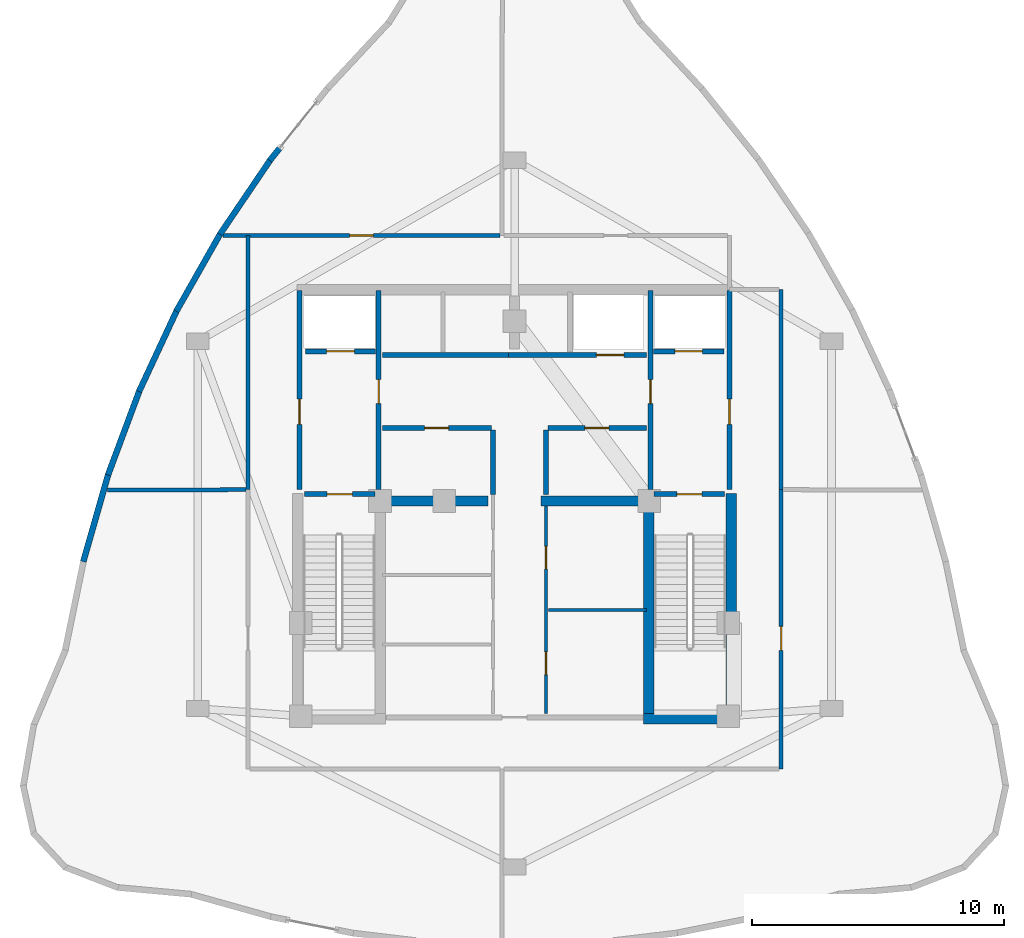
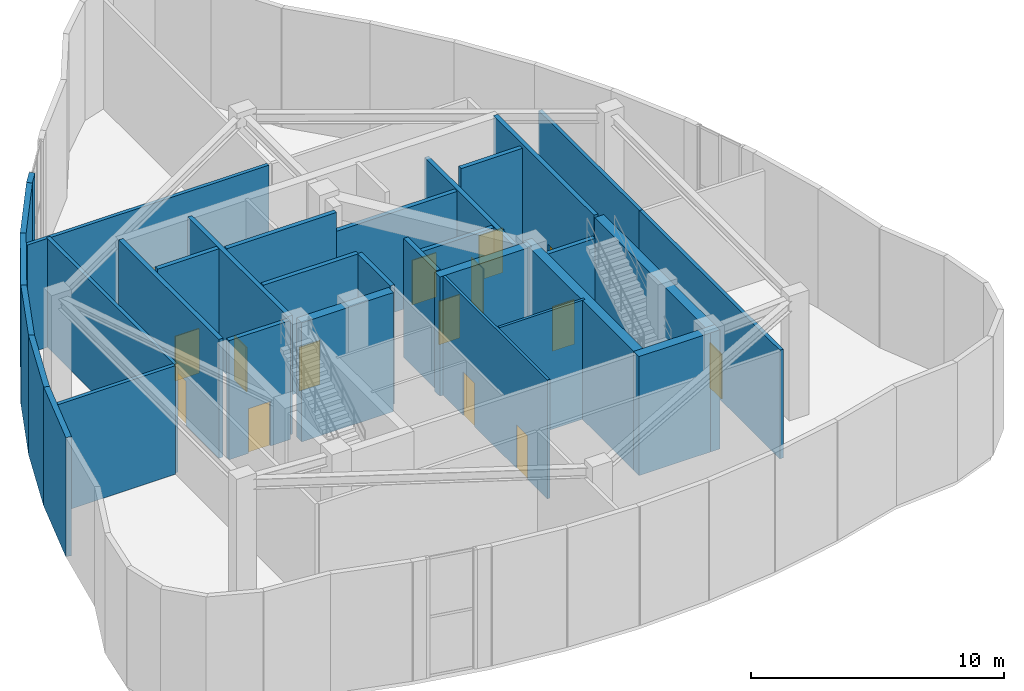
# One storey, part 9 of 11: 32 walls, 15 doors, 15 openings.
"""IFC4 building model written with IfcOpenShell, lengths in metres."""

from ifc_helpers import new_model, si_unit, direction, frame, frame_2d, origin, place, context, subcontext, project, spatial, rectangle, extrude, material, layer, layer_set, type_object, element, fill, save


model = new_model("IFC4")

# Units and contexts
model_context = context("Model", 3, precision=1e-05, world=origin(), true_north=direction((0.0, 1.0)))
body_context = subcontext(model_context, "Body", "Model", "MODEL_VIEW")
ifc_project = project(units=[si_unit("LENGTHUNIT", "METRE"), si_unit("AREAUNIT", "SQUARE_METRE"), si_unit("VOLUMEUNIT", "CUBIC_METRE"), si_unit("PLANEANGLEUNIT", "RADIAN"), si_unit("MASSUNIT", "GRAM", prefix="KILO")], contexts=[model_context])

# Site, building, storey
site_placement = place(None, origin())
site = spatial("IfcSite", under=ifc_project, at=site_placement, CompositionType="ELEMENT")
building_placement = place(site_placement, origin())
building = spatial("IfcBuilding", under=site, at=building_placement, Name="Miruveldt Soraemaru", CompositionType="ELEMENT")
storey_placement = place(building_placement, frame((0.0, 0.0, 300.800048828125)))
storey = spatial("IfcBuildingStorey", under=building, at=storey_placement, Name="L80", CompositionType="ELEMENT", Elevation=300.800048828125)

# Walls
ifc_material_1 = material(Name="Concrete C70/85 (70 MPa)", Category="concrete")
ifc_layer_1 = layer(ifc_material_1, 0.5, Name="Concrete C70/85 (70 MPa)", Category="concrete")
ifc_layer_set_1 = layer_set([ifc_layer_1], Name="Concrete C70/85 (70 MPa)")
wall_type_1 = type_object("IfcWallType", Name="WALL-BW-500", PredefinedType="SHEAR", material=ifc_layer_set_1)
for number, where, z_axis, x_axis, name in (
    (1, (38.75, 44.050048828125, 0.0), (0.0, 0.0, 1.0), (1.0, 0.0, 0.0), "L80 Core Buttress Shear Wall BW"),
    (2, (45.050048828125, 44.050048828125, 0.0), (0.0, 0.0, 1.0), (1.0, 0.0, 0.0), "L80 Core Buttress Shear Wall BE"),
):
    element("IfcWall", number, at=place(storey_placement, frame(where, z_axis=z_axis, x_axis=x_axis)), inside=storey, type_object=wall_type_1, Name=name, PredefinedType="SHEAR", context=body_context, shape_type="SweptSolid", body=[
        extrude(rectangle(XDim=4.199951171875, YDim=0.39990234375, at=frame_2d((2.10009765625, 0.0))), origin(), (0.0, 0.0, 1.0), 5.739990234375),
    ])
ifc_material_2 = material(Name="Concrete C50/60 (50 MPa)", Category="concrete")
ifc_layer_2 = layer(ifc_material_2, 0.419921875, Name="Concrete C50/60 (50 MPa)", Category="concrete")
ifc_layer_set_2 = layer_set([ifc_layer_2], Name="Concrete C50/60 (50 MPa)")
wall_type_2 = type_object("IfcWallType", Name="WALL-CW-420", PredefinedType="SHEAR", material=ifc_layer_set_2)
wall_1_placement = place(storey_placement, frame((49.1298828125, 35.389892578125, 0.0), z_axis=(0.0, 0.0, 1.0), x_axis=(1.0, 0.0, 0.0)))
element("IfcWall", 3, at=wall_1_placement, inside=storey, type_object=wall_type_2, Name="L80 Central Core Shear Wall S2", PredefinedType="SHEAR", context=body_context, shape_type="SweptSolid", body=[
    extrude(rectangle(XDim=3.690185546875, YDim=0.419921875, at=frame_2d((1.84521484375, 0.0))), origin(), (0.0, 0.0, 1.0), 5.739990234375),
])
wall_2_placement = place(storey_placement, frame((52.610107421875, 35.179931640625, 0.0), z_axis=(0.0, 0.0, 1.0), x_axis=(0.0, 1.0, 0.0)))
element("IfcWall", 4, at=wall_2_placement, inside=storey, type_object=wall_type_2, Name="L80 Central Core Shear Wall E1", PredefinedType="SHEAR", context=body_context, shape_type="SweptSolid", body=[
    extrude(rectangle(XDim=9.170166015625, YDim=0.419921875, at=frame_2d((4.5849609375, 0.0))), origin(), (0.0, 0.0, 1.0), 5.739990234375),
])
wall_3_placement = place(storey_placement, frame((49.340087890625, 35.39990234375, 0.0), z_axis=(0.0, 0.0, 1.0), x_axis=(0.0, 1.0, 0.0)))
element("IfcWall", 5, at=wall_3_placement, inside=storey, type_object=wall_type_2, Name="L80 Central Core Shear Wall SE-INT", PredefinedType="SHEAR", context=body_context, shape_type="SweptSolid", body=[
    extrude(rectangle(XDim=8.9501953125, YDim=0.419921875, at=frame_2d((4.47509765625, 0.0))), origin(), (0.0, 0.0, 1.0), 5.739990234375),
])
ifc_material_3 = material(Name="Precast concrete C45/55 (45 MPa)", Category="concrete")
ifc_layer_3 = layer(ifc_material_3, 0.239990234375, Name="Precast concrete C45/55 (45 MPa)", Category="concrete")
ifc_layer_set_3 = layer_set([ifc_layer_3], Name="Precast concrete C45/55 (45 MPa)")
wall_type_3 = type_object("IfcWallType", Name="WALL-EXT-PC240", PredefinedType="SOLIDWALL", material=ifc_layer_set_3)
wall_4_placement = place(storey_placement, frame((34.70703125, 58.13525390625, 0.0), z_axis=(0.0, 0.0, 1.0), x_axis=(-0.62368040626, -0.781679442513, 0.0)))
element("IfcWall", 6, at=wall_4_placement, inside=storey, type_object=wall_type_3, Name="L80 Precast Pier Right 8", PredefinedType="SOLIDWALL", context=body_context, shape_type="SweptSolid", body=[
    extrude(rectangle(XDim=0.70458984375, YDim=0.239990234375, at=frame_2d((0.352294921875, 0.0))), origin(), (0.0, 0.0, 1.0), 5.739990234375),
])
wall_5_placement = place(storey_placement, frame((34.30908203125, 57.640869140625, 0.0), z_axis=(0.0, 0.0, 1.0), x_axis=(-0.560819727484, -0.827937940467, 0.0)))
element("IfcWall", 7, at=wall_5_placement, inside=storey, type_object=wall_type_3, Name="L80 Precast Concrete Facade Wall 9", PredefinedType="SOLIDWALL", context=body_context, shape_type="SweptSolid", body=[
    extrude(rectangle(XDim=3.609375, YDim=0.239990234375, at=frame_2d((1.8046875, 0.0))), origin(), (0.0, 0.0, 1.0), 5.739990234375),
])
wall_6_placement = place(storey_placement, frame((32.32177734375, 54.7119140625, 0.0), z_axis=(0.0, 0.0, 1.0), x_axis=(-0.49340236427, -0.869801188165, 0.0)))
element("IfcWall", 8, at=wall_6_placement, inside=storey, type_object=wall_type_3, Name="L80 Precast Concrete Facade Wall 10", PredefinedType="SOLIDWALL", context=body_context, shape_type="SweptSolid", body=[
    extrude(rectangle(XDim=3.5869140625, YDim=0.239990234375, at=frame_2d((1.79345703125, 0.0))), origin(), (0.0, 0.0, 1.0), 5.739990234375),
])
wall_7_placement = place(storey_placement, frame((30.584228515625, 51.654296875, 0.0), z_axis=(0.0, 0.0, 1.0), x_axis=(-0.422322757118, -0.906445524464, 0.0)))
element("IfcWall", 9, at=wall_7_placement, inside=storey, type_object=wall_type_3, Name="L80 Precast Concrete Facade Wall 11", PredefinedType="SOLIDWALL", context=body_context, shape_type="SweptSolid", body=[
    extrude(rectangle(XDim=3.587158203125, YDim=0.239990234375, at=frame_2d((1.79345703125, 0.0))), origin(), (0.0, 0.0, 1.0), 5.739990234375),
])
wall_8_placement = place(storey_placement, frame((29.096435546875, 48.46728515625, 0.0), z_axis=(0.0, 0.0, 1.0), x_axis=(-0.349054279873, -0.937102507574, 0.0)))
element("IfcWall", 10, at=wall_8_placement, inside=storey, type_object=wall_type_3, Name="L80 Precast Concrete Facade Wall 12", PredefinedType="SOLIDWALL", context=body_context, shape_type="SweptSolid", body=[
    extrude(rectangle(XDim=3.609130859375, YDim=0.239990234375, at=frame_2d((1.8046875, 0.0))), origin(), (0.0, 0.0, 1.0), 5.739990234375),
])
wall_9_placement = place(storey_placement, frame((27.8583984375, 45.151611328125, 0.0), z_axis=(0.0, 0.0, 1.0), x_axis=(-0.274897629025, -0.961473501224, 0.0)))
element("IfcWall", 11, at=wall_9_placement, inside=storey, type_object=wall_type_3, Name="L80 Precast Concrete Facade Wall 13", PredefinedType="SOLIDWALL", context=body_context, shape_type="SweptSolid", body=[
    extrude(rectangle(XDim=3.65380859375, YDim=0.239990234375, at=frame_2d((1.826904296875, 0.0))), origin(), (0.0, 0.0, 1.0), 5.739990234375),
])

# Wall, openings, doors
ifc_material_4 = material(Name="Gypsum plasterboard lining", Category="gypsum")
ifc_layer_4 = layer(ifc_material_4, 0.1201171875, Name="Gypsum plasterboard lining", Category="gypsum")
ifc_layer_set_4 = layer_set([ifc_layer_4], Name="Gypsum plasterboard lining")
wall_type_4 = type_object("IfcWallType", Name="WALL-INT-P120", PredefinedType="PARTITIONING", material=ifc_layer_set_4)
wall_10_placement = place(storey_placement, frame((45.25, 35.60009765625, 0.0), z_axis=(0.0, 0.0, 1.0), x_axis=(0.0, 1.0, 0.0)))
wall_10 = element("IfcWall", 12, at=wall_10_placement, inside=storey, type_object=wall_type_4, Name="L80 Core Compartment Wall SP-EL", PredefinedType="PARTITIONING", context=body_context, shape_type="SweptSolid", body=[
    extrude(rectangle(XDim=8.25, YDim=0.1201171875, at=frame_2d((4.125, 0.0))), origin(), (0.0, 0.0, 1.0), 5.739990234375),
])
opening_1_placement = place(wall_10_placement, frame((1.550048828125, 0.0, 0.0)))
opening_1 = element("IfcOpeningElement", 13, at=opening_1_placement, cuts=wall_10, Name="Opening D3", PredefinedType="OPENING", context=body_context, shape_type="SweptSolid", body=[
    extrude(rectangle(XDim=0.89990234375, YDim=2.10009765625, at=frame_2d((0.449951171875, 1.050048828125))), frame((0.0, 0.070068359375, 0.0), z_axis=(0.0, -1.0, 0.0), x_axis=(1.0, 0.0, 0.0)), (0.0, 0.0, 1.0), 0.14013671875),
])
opening_2_placement = place(wall_10_placement, frame((5.75, 0.0, 0.0)))
opening_2 = element("IfcOpeningElement", 14, at=opening_2_placement, cuts=wall_10, Name="Opening D3", PredefinedType="OPENING", context=body_context, shape_type="SweptSolid", body=[
    extrude(rectangle(XDim=0.89990234375, YDim=2.10009765625, at=frame_2d((0.449951171875, 1.050048828125))), frame((0.0, 0.070068359375, 0.0), z_axis=(0.0, -1.0, 0.0), x_axis=(1.0, 0.0, 0.0)), (0.0, 0.0, 1.0), 0.14013671875),
])
ifc_material_5 = material(Name="Anodised aluminium EN AW-6063 T6", Category="aluminium")
door_type_1 = type_object("IfcDoorType", Name="DOOR-INT-900", OperationType="NOTDEFINED", PredefinedType="DOOR", material=ifc_material_5)
door_1_placement = place(opening_1_placement, origin())
door_1 = element("IfcDoor", 15, at=door_1_placement, inside=storey, type_object=door_type_1, Name="L80 Fire Door", OperationType="SINGLE_SWING_LEFT", OverallHeight=2.10009765625, OverallWidth=0.89990234375, PredefinedType="DOOR", context=body_context, shape_type="SweptSolid", body=[
    extrude(rectangle(XDim=0.89990234375, YDim=2.10009765625, at=frame_2d((0.449951171875, 1.050048828125))), frame((0.0, 0.02490234375, 0.0), z_axis=(0.0, -1.0, 0.0), x_axis=(1.0, 0.0, 0.0)), (0.0, 0.0, 1.0), 0.050048828125),
])
fill(opening_1, door_1)
door_2_placement = place(opening_2_placement, origin())
door_2 = element("IfcDoor", 16, at=door_2_placement, inside=storey, type_object=door_type_1, Name="L80 Fire Door", OperationType="SINGLE_SWING_LEFT", OverallHeight=2.10009765625, OverallWidth=0.89990234375, PredefinedType="DOOR", context=body_context, shape_type="SweptSolid", body=[
    extrude(rectangle(XDim=0.89990234375, YDim=2.10009765625, at=frame_2d((0.449951171875, 1.050048828125))), frame((0.0, 0.02490234375, 0.0), z_axis=(0.0, -1.0, 0.0), x_axis=(1.0, 0.0, 0.0)), (0.0, 0.0, 1.0), 0.050048828125),
])
fill(opening_2, door_2)

# Wall
wall_11_placement = place(storey_placement, frame((45.35009765625, 39.719970703125, 0.0), z_axis=(0.0, 0.0, 1.0), x_axis=(1.0, 0.0, 0.0)))
element("IfcWall", 17, at=wall_11_placement, inside=storey, type_object=wall_type_4, Name="L80 Core Compartment Wall RL-E3H", PredefinedType="PARTITIONING", context=body_context, shape_type="SweptSolid", body=[
    extrude(rectangle(XDim=3.89990234375, YDim=0.1201171875, at=frame_2d((1.949951171875, 0.0))), origin(), (0.0, 0.0, 1.0), 5.739990234375),
])

# Wall, opening, door
ifc_material_6 = material(Name="Concrete C40/50 (40 MPa)", Category="concrete")
ifc_layer_5 = layer(ifc_material_6, 0.159912109375, Name="Concrete C40/50 (40 MPa)", Category="concrete")
ifc_layer_set_5 = layer_set([ifc_layer_5], Name="Concrete C40/50 (40 MPa)")
wall_type_5 = type_object("IfcWallType", Name="WALL-INT-RC160", PredefinedType="SOLIDWALL", material=ifc_layer_set_5)
wall_12_placement = place(storey_placement, frame((54.60009765625, 33.39990234375, 0.0), z_axis=(0.0, 0.0, 1.0), x_axis=(0.0, 1.0, 0.0)))
wall_12 = element("IfcWall", 18, at=wall_12_placement, inside=storey, type_object=wall_type_5, Name="L80 Partition Wall 4", PredefinedType="SOLIDWALL", context=body_context, shape_type="SweptSolid", body=[
    extrude(rectangle(XDim=11.10009765625, YDim=0.159912109375, at=frame_2d((5.550048828125, 0.0))), origin(), (0.0, 0.0, 1.0), 5.239990234375),
])
opening_3_placement = place(wall_12_placement, frame((4.715087890625, 0.0, 0.0)))
opening_3 = element("IfcOpeningElement", 19, at=opening_3_placement, cuts=wall_12, Name="Opening FD2", PredefinedType="OPENING", context=body_context, shape_type="SweptSolid", body=[
    extrude(rectangle(XDim=0.949951171875, YDim=2.14990234375, at=frame_2d((0.47509765625, 1.074951171875))), frame((0.0, 0.08984375, 0.0), z_axis=(0.0, -1.0, 0.0), x_axis=(1.0, 0.0, 0.0)), (0.0, 0.0, 1.0), 0.179931640625),
])
door_type_2 = type_object("IfcDoorType", Name="DOOR-FD2-950", OperationType="NOTDEFINED", PredefinedType="DOOR", material=ifc_material_5)
door_3_placement = place(opening_3_placement, origin())
door_3 = element("IfcDoor", 20, at=door_3_placement, inside=storey, type_object=door_type_2, Name="L80 L80 Crown Air Handling Plant Room Fire Door", OperationType="SINGLE_SWING_LEFT", OverallHeight=2.14990234375, OverallWidth=0.949951171875, PredefinedType="DOOR", context=body_context, shape_type="SweptSolid", body=[
    extrude(rectangle(XDim=0.949951171875, YDim=2.14990234375, at=frame_2d((0.47509765625, 1.074951171875))), frame((0.0, 0.02490234375, 0.0), z_axis=(0.0, -1.0, 0.0), x_axis=(1.0, 0.0, 0.0)), (0.0, 0.0, 1.0), 0.050048828125),
])
fill(opening_3, door_3)

wall_13_placement = place(storey_placement, frame((43.419921875, 54.60009765625, 0.0), z_axis=(0.0, 0.0, 1.0), x_axis=(-1.0, 0.0, 0.0)))
wall_13 = element("IfcWall", 21, at=wall_13_placement, inside=storey, type_object=wall_type_5, Name="L80 Partition Wall 5", PredefinedType="SOLIDWALL", context=body_context, shape_type="SweptSolid", body=[
    extrude(rectangle(XDim=11.0068359375, YDim=0.159912109375, at=frame_2d((5.50341796875, 0.0))), origin(), (0.0, 0.0, 1.0), 5.239990234375),
])
opening_4_placement = place(wall_13_placement, frame((5.029052734375, 0.0, 0.0)))
opening_4 = element("IfcOpeningElement", 22, at=opening_4_placement, cuts=wall_13, Name="Opening FD2", PredefinedType="OPENING", context=body_context, shape_type="SweptSolid", body=[
    extrude(rectangle(XDim=0.949951171875, YDim=2.14990234375, at=frame_2d((0.47509765625, 1.074951171875))), frame((0.0, 0.08984375, 0.0), z_axis=(0.0, -1.0, 0.0), x_axis=(1.0, 0.0, 0.0)), (0.0, 0.0, 1.0), 0.179931640625),
])
door_4_placement = place(opening_4_placement, origin())
door_4 = element("IfcDoor", 23, at=door_4_placement, inside=storey, type_object=door_type_2, Name="L80 L80 Crown Water Tank and Pump Plant Room Fire Door", OperationType="SINGLE_SWING_RIGHT", OverallHeight=2.14990234375, OverallWidth=0.949951171875, PredefinedType="DOOR", context=body_context, shape_type="SweptSolid", body=[
    extrude(rectangle(XDim=0.949951171875, YDim=2.14990234375, at=frame_2d((0.47509765625, 1.074951171875))), frame((0.0, 0.02490234375, 0.0), z_axis=(0.0, -1.0, 0.0), x_axis=(1.0, 0.0, 0.0)), (0.0, 0.0, 1.0), 0.050048828125),
])
fill(opening_4, door_4)

# Walls
wall_14_placement = place(storey_placement, frame((33.39990234375, 54.60009765625, 0.0), z_axis=(0.0, 0.0, 1.0), x_axis=(0.0, -1.0, 0.0)))
element("IfcWall", 24, at=wall_14_placement, inside=storey, type_object=wall_type_5, Name="L80 Partition Wall 6", PredefinedType="SOLIDWALL", context=body_context, shape_type="SweptSolid", body=[
    extrude(rectangle(XDim=10.10009765625, YDim=0.159912109375, at=frame_2d((5.050048828125, 0.0))), origin(), (0.0, 0.0, 1.0), 5.239990234375),
])
wall_15_placement = place(storey_placement, frame((54.60009765625, 44.5, 0.0), z_axis=(0.0, 0.0, 1.0), x_axis=(0.0, 1.0, 0.0)))
element("IfcWall", 25, at=wall_15_placement, inside=storey, type_object=wall_type_5, Name="L80 Partition Wall 7", PredefinedType="SOLIDWALL", context=body_context, shape_type="SweptSolid", body=[
    extrude(rectangle(XDim=7.949951171875, YDim=0.159912109375, at=frame_2d((3.97509765625, 0.0))), origin(), (0.0, 0.0, 1.0), 5.239990234375),
])
wall_16_placement = place(storey_placement, frame((33.320068359375, 44.5, 0.0), z_axis=(0.0, 0.0, 1.0), x_axis=(-0.999996349983, -0.002701854868, 0.0)))
element("IfcWall", 26, at=wall_16_placement, inside=storey, type_object=wall_type_5, Name="L80 Partition Wall 12", PredefinedType="SOLIDWALL", context=body_context, shape_type="SweptSolid", body=[
    extrude(rectangle(XDim=5.511962890625, YDim=0.159912109375, at=frame_2d((2.755859375, 0.0))), origin(), (0.0, 0.0, 1.0), 5.239990234375),
])

# Wall, opening, door
ifc_layer_6 = layer(ifc_material_6, 0.199951171875, Name="Concrete C40/50 (40 MPa)", Category="concrete")
ifc_layer_set_6 = layer_set([ifc_layer_6], Name="Concrete C40/50 (40 MPa)")
wall_type_6 = type_object("IfcWallType", Name="WALL-INT-RC200", PredefinedType="SOLIDWALL", material=ifc_layer_set_6)
wall_17_placement = place(storey_placement, frame((35.449951171875, 44.5, 0.0), z_axis=(0.0, 0.0, 1.0), x_axis=(0.0, 1.0, 0.0)))
wall_17 = element("IfcWall", 27, at=wall_17_placement, inside=storey, type_object=wall_type_6, Name="L80 Core Compartment Wall FFW-OUT", PredefinedType="SOLIDWALL", context=body_context, shape_type="SweptSolid", body=[
    extrude(rectangle(XDim=7.919921875, YDim=0.199951171875, at=frame_2d((3.9599609375, 0.0))), origin(), (0.0, 0.0, 1.0), 5.739990234375),
])
opening_5_placement = place(wall_17_placement, frame((2.60009765625, 0.0, 0.0)))
opening_5 = element("IfcOpeningElement", 28, at=opening_5_placement, cuts=wall_17, Name="Opening FD1", PredefinedType="OPENING", context=body_context, shape_type="SweptSolid", body=[
    extrude(rectangle(XDim=1.0, YDim=2.14990234375, at=frame_2d((0.5, 1.074951171875))), frame((0.0, 0.10986328125, 0.0), z_axis=(0.0, -1.0, 0.0), x_axis=(1.0, 0.0, 0.0)), (0.0, 0.0, 1.0), 0.219970703125),
])
door_type_3 = type_object("IfcDoorType", Name="DOOR-FD1-1000", OperationType="NOTDEFINED", PredefinedType="DOOR", material=ifc_material_5)
door_5_placement = place(opening_5_placement, origin())
door_5 = element("IfcDoor", 29, at=door_5_placement, inside=storey, type_object=door_type_3, Name="L80 West Firefighting Lobby Exit Door", OperationType="SINGLE_SWING_LEFT", OverallHeight=2.14990234375, OverallWidth=1.0, PredefinedType="DOOR", context=body_context, shape_type="SweptSolid", body=[
    extrude(rectangle(XDim=1.0, YDim=2.14990234375, at=frame_2d((0.5, 1.074951171875))), frame((0.0, 0.02490234375, 0.0), z_axis=(0.0, -1.0, 0.0), x_axis=(1.0, 0.0, 0.0)), (0.0, 0.0, 1.0), 0.050048828125),
])
fill(opening_5, door_5)

wall_18_placement = place(storey_placement, frame((52.550048828125, 44.5, 0.0), z_axis=(0.0, 0.0, 1.0), x_axis=(0.0, 1.0, 0.0)))
wall_18 = element("IfcWall", 30, at=wall_18_placement, inside=storey, type_object=wall_type_6, Name="L80 Core Compartment Wall FFE-OUT", PredefinedType="SOLIDWALL", context=body_context, shape_type="SweptSolid", body=[
    extrude(rectangle(XDim=7.919921875, YDim=0.199951171875, at=frame_2d((3.9599609375, 0.0))), origin(), (0.0, 0.0, 1.0), 5.739990234375),
])
opening_6_placement = place(wall_18_placement, frame((2.60009765625, 0.0, 0.0)))
opening_6 = element("IfcOpeningElement", 31, at=opening_6_placement, cuts=wall_18, Name="Opening FD1", PredefinedType="OPENING", context=body_context, shape_type="SweptSolid", body=[
    extrude(rectangle(XDim=1.0, YDim=2.14990234375, at=frame_2d((0.5, 1.074951171875))), frame((0.0, 0.10986328125, 0.0), z_axis=(0.0, -1.0, 0.0), x_axis=(1.0, 0.0, 0.0)), (0.0, 0.0, 1.0), 0.219970703125),
])
door_6_placement = place(opening_6_placement, frame((1.0, 0.0, 0.0), z_axis=(0.0, 0.0, 1.0), x_axis=(-1.0, 0.0, 0.0)))
door_6 = element("IfcDoor", 32, at=door_6_placement, inside=storey, type_object=door_type_3, Name="L80 East Firefighting Lobby Exit Door", OperationType="SINGLE_SWING_RIGHT", OverallHeight=2.14990234375, OverallWidth=1.0, PredefinedType="DOOR", context=body_context, shape_type="SweptSolid", body=[
    extrude(rectangle(XDim=1.0, YDim=2.14990234375, at=frame_2d((0.5, 1.074951171875))), frame((0.0, 0.02490234375, 0.0), z_axis=(0.0, -1.0, 0.0), x_axis=(1.0, 0.0, 0.0)), (0.0, 0.0, 1.0), 0.050048828125),
])
fill(opening_6, door_6)

wall_19_placement = place(storey_placement, frame((38.60009765625, 44.5, 0.0), z_axis=(0.0, 0.0, 1.0), x_axis=(0.0, 1.0, 0.0)))
wall_19 = element("IfcWall", 33, at=wall_19_placement, inside=storey, type_object=wall_type_6, Name="L80 Core Compartment Wall FFW-IN", PredefinedType="SOLIDWALL", context=body_context, shape_type="SweptSolid", body=[
    extrude(rectangle(XDim=7.919921875, YDim=0.199951171875, at=frame_2d((3.9599609375, 0.0))), origin(), (0.0, 0.0, 1.0), 5.739990234375),
])
opening_7_placement = place(wall_19_placement, frame((3.425048828125, 0.0, 0.0)))
opening_7 = element("IfcOpeningElement", 34, at=opening_7_placement, cuts=wall_19, Name="Opening FD2", PredefinedType="OPENING", context=body_context, shape_type="SweptSolid", body=[
    extrude(rectangle(XDim=0.949951171875, YDim=2.14990234375, at=frame_2d((0.47509765625, 1.074951171875))), frame((0.0, 0.10986328125, 0.0), z_axis=(0.0, -1.0, 0.0), x_axis=(1.0, 0.0, 0.0)), (0.0, 0.0, 1.0), 0.219970703125),
])
door_7_placement = place(opening_7_placement, frame((0.949951171875, 0.0, 0.0), z_axis=(0.0, 0.0, 1.0), x_axis=(-1.0, 0.0, 0.0)))
door_7 = element("IfcDoor", 35, at=door_7_placement, inside=storey, type_object=door_type_2, Name="L80 Lift Lobby to West Fire Lobby Door", OperationType="SINGLE_SWING_RIGHT", OverallHeight=2.14990234375, OverallWidth=0.949951171875, PredefinedType="DOOR", context=body_context, shape_type="SweptSolid", body=[
    extrude(rectangle(XDim=0.949951171875, YDim=2.14990234375, at=frame_2d((0.47509765625, 1.074951171875))), frame((0.0, 0.02490234375, 0.0), z_axis=(0.0, -1.0, 0.0), x_axis=(1.0, 0.0, 0.0)), (0.0, 0.0, 1.0), 0.050048828125),
])
fill(opening_7, door_7)

wall_20_placement = place(storey_placement, frame((49.39990234375, 44.5, 0.0), z_axis=(0.0, 0.0, 1.0), x_axis=(0.0, 1.0, 0.0)))
wall_20 = element("IfcWall", 36, at=wall_20_placement, inside=storey, type_object=wall_type_6, Name="L80 Core Compartment Wall FFE-IN", PredefinedType="SOLIDWALL", context=body_context, shape_type="SweptSolid", body=[
    extrude(rectangle(XDim=7.919921875, YDim=0.199951171875, at=frame_2d((3.9599609375, 0.0))), origin(), (0.0, 0.0, 1.0), 4.827880859375),
])
opening_8_placement = place(wall_20_placement, frame((3.425048828125, 0.0, 0.0)))
opening_8 = element("IfcOpeningElement", 37, at=opening_8_placement, cuts=wall_20, Name="Opening FD2", PredefinedType="OPENING", context=body_context, shape_type="SweptSolid", body=[
    extrude(rectangle(XDim=0.949951171875, YDim=2.14990234375, at=frame_2d((0.47509765625, 1.074951171875))), frame((0.0, 0.10986328125, 0.0), z_axis=(0.0, -1.0, 0.0), x_axis=(1.0, 0.0, 0.0)), (0.0, 0.0, 1.0), 0.219970703125),
])
door_8_placement = place(opening_8_placement, origin())
door_8 = element("IfcDoor", 38, at=door_8_placement, inside=storey, type_object=door_type_2, Name="L80 Lift Lobby to East Fire Lobby Door", OperationType="SINGLE_SWING_LEFT", OverallHeight=2.14990234375, OverallWidth=0.949951171875, PredefinedType="DOOR", context=body_context, shape_type="SweptSolid", body=[
    extrude(rectangle(XDim=0.949951171875, YDim=2.14990234375, at=frame_2d((0.47509765625, 1.074951171875))), frame((0.0, 0.02490234375, 0.0), z_axis=(0.0, -1.0, 0.0), x_axis=(1.0, 0.0, 0.0)), (0.0, 0.0, 1.0), 0.050048828125),
])
fill(opening_8, door_8)

wall_21_placement = place(storey_placement, frame((43.75, 49.85009765625, 0.0), z_axis=(0.0, 0.0, 1.0), x_axis=(1.0, 0.0, 0.0)))
wall_21 = element("IfcWall", 39, at=wall_21_placement, inside=storey, type_object=wall_type_6, Name="L80 Core Compartment Wall ROWA-SE", PredefinedType="SOLIDWALL", context=body_context, shape_type="SweptSolid", body=[
    extrude(rectangle(XDim=5.5, YDim=0.199951171875, at=frame_2d((2.75, 0.0))), origin(), (0.0, 0.0, 1.0), 4.827880859375),
])
opening_9_placement = place(wall_21_placement, frame((3.5, 0.0, 0.0)))
opening_9 = element("IfcOpeningElement", 40, at=opening_9_placement, cuts=wall_21, Name="Opening LD2", PredefinedType="OPENING", context=body_context, shape_type="SweptSolid", body=[
    extrude(rectangle(XDim=1.10009765625, YDim=2.14990234375, at=frame_2d((0.550048828125, 1.074951171875))), frame((0.0, 0.10986328125, 0.0), z_axis=(0.0, -1.0, 0.0), x_axis=(1.0, 0.0, 0.0)), (0.0, 0.0, 1.0), 0.219970703125),
])
door_type_4 = type_object("IfcDoorType", Name="DOOR-LD2-1100", OperationType="SLIDING_TO_LEFT", PredefinedType="DOOR", material=ifc_material_5)
door_9_placement = place(opening_9_placement, origin())
door_9 = element("IfcDoor", 41, at=door_9_placement, inside=storey, type_object=door_type_4, Name="L80 SL-1 Landing Door", OperationType="SLIDING_TO_LEFT", OverallHeight=2.14990234375, OverallWidth=1.10009765625, PredefinedType="DOOR", context=body_context, shape_type="SweptSolid", body=[
    extrude(rectangle(XDim=1.10009765625, YDim=2.14990234375, at=frame_2d((0.550048828125, 1.074951171875))), frame((0.0, 0.02490234375, 0.0), z_axis=(0.0, -1.0, 0.0), x_axis=(1.0, 0.0, 0.0)), (0.0, 0.0, 1.0), 0.050048828125),
])
fill(opening_9, door_9)

wall_22_placement = place(storey_placement, frame((38.75, 46.949951171875, 0.0), z_axis=(0.0, 0.0, 1.0), x_axis=(1.0, 0.0, 0.0)))
wall_22 = element("IfcWall", 42, at=wall_22_placement, inside=storey, type_object=wall_type_6, Name="L80 Core Compartment Wall MBW-N", PredefinedType="SOLIDWALL", context=body_context, shape_type="SweptSolid", body=[
    extrude(rectangle(XDim=4.330078125, YDim=0.199951171875, at=frame_2d((2.1650390625, 0.0))), origin(), (0.0, 0.0, 1.0), 5.739990234375),
])
opening_10_placement = place(wall_22_placement, frame((1.675048828125, 0.0, 0.0)))
opening_10 = element("IfcOpeningElement", 43, at=opening_10_placement, cuts=wall_22, Name="Opening D2", PredefinedType="OPENING", context=body_context, shape_type="SweptSolid", body=[
    extrude(rectangle(XDim=0.949951171875, YDim=2.10009765625, at=frame_2d((0.47509765625, 1.050048828125))), frame((0.0, 0.10986328125, 0.0), z_axis=(0.0, -1.0, 0.0), x_axis=(1.0, 0.0, 0.0)), (0.0, 0.0, 1.0), 0.219970703125),
])
door_type_5 = type_object("IfcDoorType", Name="DOOR-INT-950", OperationType="NOTDEFINED", PredefinedType="DOOR", material=ifc_material_5)
door_10_placement = place(opening_10_placement, origin())
door_10 = element("IfcDoor", 44, at=door_10_placement, inside=storey, type_object=door_type_5, Name="L80 Fire Door", OperationType="SINGLE_SWING_LEFT", OverallHeight=2.10009765625, OverallWidth=0.949951171875, PredefinedType="DOOR", context=body_context, shape_type="SweptSolid", body=[
    extrude(rectangle(XDim=0.949951171875, YDim=2.10009765625, at=frame_2d((0.47509765625, 1.050048828125))), frame((0.0, 0.02490234375, 0.0), z_axis=(0.0, -1.0, 0.0), x_axis=(1.0, 0.0, 0.0)), (0.0, 0.0, 1.0), 0.050048828125),
])
fill(opening_10, door_10)

wall_23_placement = place(storey_placement, frame((45.320068359375, 46.949951171875, 0.0), z_axis=(0.0, 0.0, 1.0), x_axis=(1.0, 0.0, 0.0)))
wall_23 = element("IfcWall", 45, at=wall_23_placement, inside=storey, type_object=wall_type_6, Name="L80 Core Compartment Wall MBE-N", PredefinedType="SOLIDWALL", context=body_context, shape_type="SweptSolid", body=[
    extrude(rectangle(XDim=3.929931640625, YDim=0.199951171875, at=frame_2d((1.96484375, 0.0))), origin(), (0.0, 0.0, 1.0), 4.827880859375),
])
opening_11_placement = place(wall_23_placement, frame((1.47509765625, 0.0, 0.0)))
opening_11 = element("IfcOpeningElement", 46, at=opening_11_placement, cuts=wall_23, Name="Opening D2", PredefinedType="OPENING", context=body_context, shape_type="SweptSolid", body=[
    extrude(rectangle(XDim=0.949951171875, YDim=2.10009765625, at=frame_2d((0.47509765625, 1.050048828125))), frame((0.0, 0.10986328125, 0.0), z_axis=(0.0, -1.0, 0.0), x_axis=(1.0, 0.0, 0.0)), (0.0, 0.0, 1.0), 0.219970703125),
])
door_11_placement = place(opening_11_placement, origin())
door_11 = element("IfcDoor", 47, at=door_11_placement, inside=storey, type_object=door_type_5, Name="L80 Fire Door", OperationType="SINGLE_SWING_LEFT", OverallHeight=2.10009765625, OverallWidth=0.949951171875, PredefinedType="DOOR", context=body_context, shape_type="SweptSolid", body=[
    extrude(rectangle(XDim=0.949951171875, YDim=2.10009765625, at=frame_2d((0.47509765625, 1.050048828125))), frame((0.0, 0.02490234375, 0.0), z_axis=(0.0, -1.0, 0.0), x_axis=(1.0, 0.0, 0.0)), (0.0, 0.0, 1.0), 0.050048828125),
])
fill(opening_11, door_11)

wall_24_placement = place(storey_placement, frame((35.64990234375, 44.320068359375, 0.0), z_axis=(0.0, 0.0, 1.0), x_axis=(1.0, 0.0, 0.0)))
wall_24 = element("IfcWall", 48, at=wall_24_placement, inside=storey, type_object=wall_type_6, Name="L80 Core Compartment Wall ST1-N", PredefinedType="SOLIDWALL", context=body_context, shape_type="SweptSolid", body=[
    extrude(rectangle(XDim=2.800048828125, YDim=0.199951171875, at=frame_2d((1.39990234375, 0.0))), origin(), (0.0, 0.0, 1.0), 5.739990234375),
])
opening_12_placement = place(wall_24_placement, frame((0.89990234375, 0.0, 0.0)))
opening_12 = element("IfcOpeningElement", 49, at=opening_12_placement, cuts=wall_24, Name="Opening FD1", PredefinedType="OPENING", context=body_context, shape_type="SweptSolid", body=[
    extrude(rectangle(XDim=1.0, YDim=2.14990234375, at=frame_2d((0.5, 1.074951171875))), frame((0.0, 0.10986328125, 0.0), z_axis=(0.0, -1.0, 0.0), x_axis=(1.0, 0.0, 0.0)), (0.0, 0.0, 1.0), 0.219970703125),
])
door_12_placement = place(opening_12_placement, frame((1.0, 0.0, 0.0), z_axis=(0.0, 0.0, 1.0), x_axis=(-1.0, 0.0, 0.0)))
door_12 = element("IfcDoor", 50, at=door_12_placement, inside=storey, type_object=door_type_3, Name="L80 Stair ST-1 Fire Door", OperationType="SINGLE_SWING_LEFT", OverallHeight=2.14990234375, OverallWidth=1.0, PredefinedType="DOOR", context=body_context, shape_type="SweptSolid", body=[
    extrude(rectangle(XDim=1.0, YDim=2.14990234375, at=frame_2d((0.5, 1.074951171875))), frame((0.0, 0.02490234375, 0.0), z_axis=(0.0, -1.0, 0.0), x_axis=(1.0, 0.0, 0.0)), (0.0, 0.0, 1.0), 0.050048828125),
])
fill(opening_12, door_12)

wall_25_placement = place(storey_placement, frame((49.550048828125, 44.320068359375, 0.0), z_axis=(0.0, 0.0, 1.0), x_axis=(1.0, 0.0, 0.0)))
wall_25 = element("IfcWall", 51, at=wall_25_placement, inside=storey, type_object=wall_type_6, Name="L80 Core Compartment Wall ST2-N", PredefinedType="SOLIDWALL", context=body_context, shape_type="SweptSolid", body=[
    extrude(rectangle(XDim=2.800048828125, YDim=0.199951171875, at=frame_2d((1.39990234375, 0.0))), origin(), (0.0, 0.0, 1.0), 4.827880859375),
])
opening_13_placement = place(wall_25_placement, frame((0.89990234375, 0.0, 0.0)))
opening_13 = element("IfcOpeningElement", 52, at=opening_13_placement, cuts=wall_25, Name="Opening FD1", PredefinedType="OPENING", context=body_context, shape_type="SweptSolid", body=[
    extrude(rectangle(XDim=1.0, YDim=2.14990234375, at=frame_2d((0.5, 1.074951171875))), frame((0.0, 0.10986328125, 0.0), z_axis=(0.0, -1.0, 0.0), x_axis=(1.0, 0.0, 0.0)), (0.0, 0.0, 1.0), 0.219970703125),
])
door_13_placement = place(opening_13_placement, frame((1.0, 0.0, 0.0), z_axis=(0.0, 0.0, 1.0), x_axis=(-1.0, 0.0, 0.0)))
door_13 = element("IfcDoor", 53, at=door_13_placement, inside=storey, type_object=door_type_3, Name="L80 Stair ST-2 Fire Door", OperationType="SINGLE_SWING_RIGHT", OverallHeight=2.14990234375, OverallWidth=1.0, PredefinedType="DOOR", context=body_context, shape_type="SweptSolid", body=[
    extrude(rectangle(XDim=1.0, YDim=2.14990234375, at=frame_2d((0.5, 1.074951171875))), frame((0.0, 0.02490234375, 0.0), z_axis=(0.0, -1.0, 0.0), x_axis=(1.0, 0.0, 0.0)), (0.0, 0.0, 1.0), 0.050048828125),
])
fill(opening_13, door_13)

wall_26_placement = place(storey_placement, frame((35.679931640625, 50.0, 0.0), z_axis=(0.0, 0.0, 1.0), x_axis=(1.0, 0.0, 0.0)))
wall_26 = element("IfcWall", 54, at=wall_26_placement, inside=storey, type_object=wall_type_6, Name="L80 Core Compartment Wall FFL1-S", PredefinedType="SOLIDWALL", context=body_context, shape_type="SweptSolid", body=[
    extrude(rectangle(XDim=2.800048828125, YDim=0.199951171875, at=frame_2d((1.39990234375, 0.0))), origin(), (0.0, 0.0, 1.0), 5.739990234375),
])
opening_14_placement = place(wall_26_placement, frame((0.85009765625, 0.0, 0.0)))
opening_14 = element("IfcOpeningElement", 55, at=opening_14_placement, cuts=wall_26, Name="Opening LD2", PredefinedType="OPENING", context=body_context, shape_type="SweptSolid", body=[
    extrude(rectangle(XDim=1.10009765625, YDim=2.14990234375, at=frame_2d((0.550048828125, 1.074951171875))), frame((0.0, 0.10986328125, 0.0), z_axis=(0.0, -1.0, 0.0), x_axis=(1.0, 0.0, 0.0)), (0.0, 0.0, 1.0), 0.219970703125),
])
door_14_placement = place(opening_14_placement, origin())
door_14 = element("IfcDoor", 56, at=door_14_placement, inside=storey, type_object=door_type_4, Name="L80 FFL-1 Landing Door", OperationType="SLIDING_TO_LEFT", OverallHeight=2.14990234375, OverallWidth=1.10009765625, PredefinedType="DOOR", context=body_context, shape_type="SweptSolid", body=[
    extrude(rectangle(XDim=1.10009765625, YDim=2.14990234375, at=frame_2d((0.550048828125, 1.074951171875))), frame((0.0, 0.02490234375, 0.0), z_axis=(0.0, -1.0, 0.0), x_axis=(1.0, 0.0, 0.0)), (0.0, 0.0, 1.0), 0.050048828125),
])
fill(opening_14, door_14)

wall_27_placement = place(storey_placement, frame((49.52001953125, 50.0, 0.0), z_axis=(0.0, 0.0, 1.0), x_axis=(1.0, 0.0, 0.0)))
wall_27 = element("IfcWall", 57, at=wall_27_placement, inside=storey, type_object=wall_type_6, Name="L80 Core Compartment Wall FFL2-S", PredefinedType="SOLIDWALL", context=body_context, shape_type="SweptSolid", body=[
    extrude(rectangle(XDim=2.800048828125, YDim=0.199951171875, at=frame_2d((1.39990234375, 0.0))), origin(), (0.0, 0.0, 1.0), 5.739990234375),
])
opening_15_placement = place(wall_27_placement, frame((0.85009765625, 0.0, 0.0)))
opening_15 = element("IfcOpeningElement", 58, at=opening_15_placement, cuts=wall_27, Name="Opening LD2", PredefinedType="OPENING", context=body_context, shape_type="SweptSolid", body=[
    extrude(rectangle(XDim=1.10009765625, YDim=2.14990234375, at=frame_2d((0.550048828125, 1.074951171875))), frame((0.0, 0.10986328125, 0.0), z_axis=(0.0, -1.0, 0.0), x_axis=(1.0, 0.0, 0.0)), (0.0, 0.0, 1.0), 0.219970703125),
])
door_15_placement = place(opening_15_placement, origin())
door_15 = element("IfcDoor", 59, at=door_15_placement, inside=storey, type_object=door_type_4, Name="L80 FFL-2 Landing Door", OperationType="SLIDING_TO_LEFT", OverallHeight=2.14990234375, OverallWidth=1.10009765625, PredefinedType="DOOR", context=body_context, shape_type="SweptSolid", body=[
    extrude(rectangle(XDim=1.10009765625, YDim=2.14990234375, at=frame_2d((0.550048828125, 1.074951171875))), frame((0.0, 0.02490234375, 0.0), z_axis=(0.0, -1.0, 0.0), x_axis=(1.0, 0.0, 0.0)), (0.0, 0.0, 1.0), 0.050048828125),
])
fill(opening_15, door_15)

# Walls
wall_28_placement = place(storey_placement, frame((38.75, 49.85009765625, 0.0), z_axis=(0.0, 0.0, 1.0), x_axis=(1.0, 0.0, 0.0)))
element("IfcWall", 60, at=wall_28_placement, inside=storey, type_object=wall_type_6, Name="L80 Core Compartment Wall ROWA-SW", PredefinedType="SOLIDWALL", context=body_context, shape_type="SweptSolid", body=[
    extrude(rectangle(XDim=5.0, YDim=0.199951171875, at=frame_2d((2.5, 0.0))), origin(), (0.0, 0.0, 1.0), 5.739990234375),
])
for number, where, z_axis, x_axis, name in (
    (61, (43.14990234375, 44.300048828125, 0.0), (0.0, 0.0, 1.0), (0.0, 1.0, 0.0), "L80 Core Compartment Wall SP-WB"),
    (62, (45.25, 44.300048828125, 0.0), (0.0, 0.0, 1.0), (0.0, 1.0, 0.0), "L80 Core Compartment Wall SP-EB"),
):
    element("IfcWall", number, at=place(storey_placement, frame(where, z_axis=z_axis, x_axis=x_axis)), inside=storey, type_object=wall_type_6, Name=name, PredefinedType="SOLIDWALL", context=body_context, shape_type="SweptSolid", body=[
        extrude(rectangle(XDim=2.579833984375, YDim=0.199951171875, at=frame_2d((1.2900390625, 0.0))), origin(), (0.0, 0.0, 1.0), 5.739990234375),
    ])

save(model, "model.ifc")
